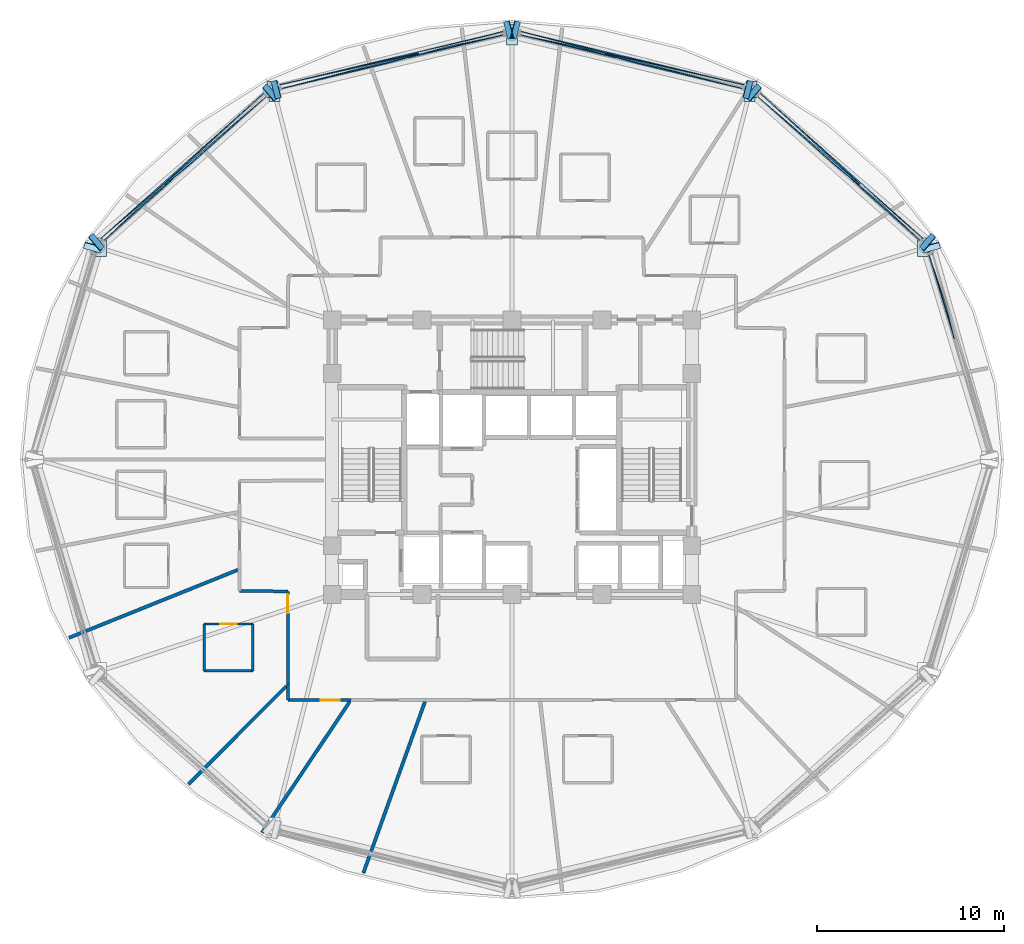
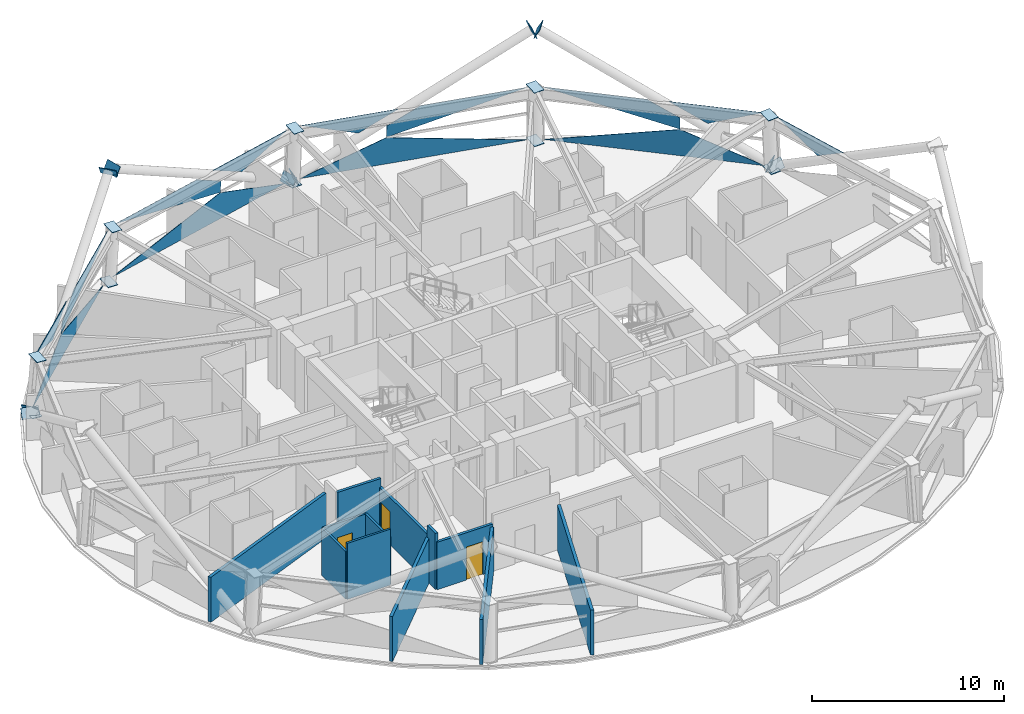
# One storey, part 5 of 14: 33 plates, 12 walls, 3 doors, 3 openings, 5 elements without a shape of their own.
"""IFC4 building model written with IfcOpenShell, lengths in metres."""

from ifc_helpers import new_model, si_unit, direction, frame, frame_2d, origin, place, context, subcontext, project, spatial, polyline, rectangle, outline, extrude, material, layer, layer_set, type_object, element, fill, aggregate, save


model = new_model("IFC4")

# Units and contexts
model_context = context("Model", 3, precision=1e-05, world=origin(), true_north=direction((0.0, 1.0)))
body_context = subcontext(model_context, "Body", "Model", "MODEL_VIEW")
ifc_project = project(units=[si_unit("LENGTHUNIT", "METRE"), si_unit("AREAUNIT", "SQUARE_METRE"), si_unit("VOLUMEUNIT", "CUBIC_METRE"), si_unit("PLANEANGLEUNIT", "RADIAN"), si_unit("MASSUNIT", "GRAM", prefix="KILO")], contexts=[model_context])

# Site, building, storey
site_placement = place(None, origin())
site = spatial("IfcSite", under=ifc_project, at=site_placement, CompositionType="ELEMENT")
building_placement = place(site_placement, origin())
building = spatial("IfcBuilding", under=site, at=building_placement, Name="Vantalir Tower", CompositionType="ELEMENT")
storey_placement = place(building_placement, frame((0.0, 0.0, 112.199951171875)))
storey = spatial("IfcBuildingStorey", under=building, at=storey_placement, Name="L27", CompositionType="ELEMENT", Elevation=112.199951171875)

# Curtain wall, plate
ifc_material_1 = material(Name="Champagne-silver PVDF aluminium and double-silver Low-E glass", Category="aluminium")
ifc_layer_1 = layer(ifc_material_1, 0.199951171875)
ifc_layer_set_1 = layer_set([ifc_layer_1], Name="Champagne-silver PVDF aluminium and double-silver Low-E glass")
curtain_wall_type = type_object("IfcCurtainWallType", Name="CW-DIAMOND-Z2", PredefinedType="USERDEFINED", material=ifc_layer_set_1)
curtain_wall_1_placement = place(storey_placement, origin())
curtain_wall_1 = element("IfcCurtainWall", 1, at=curtain_wall_1_placement, inside=storey, type_object=curtain_wall_type, Name="L27 Quilted Pyramid-Diamond Curtain Wall S01", ObjectType="UNITISED CURTAIN WALL", PredefinedType="USERDEFINED")
ifc_material_2 = material(Name="Double-silver Low-E laminated glass IGU", Category="glass")
ifc_layer_2 = layer(ifc_material_2, 0.028076171875)
ifc_layer_set_2 = layer_set([ifc_layer_2], Name="Double-silver Low-E laminated glass IGU")
plate_type_1 = type_object("IfcPlateType", Name="CWP-IGU-28", PredefinedType="CURTAIN_PANEL", material=ifc_layer_set_2)
plate_1_placement = place(storey_placement, frame((55.124267578125, 31.45166015625, 3.526123046875), z_axis=(0.954485241207, 0.286888552598, 0.081565205236), x_axis=(-0.287843586316, 0.957677433752, -5.1957326e-05)))
plate_1 = element("IfcPlate", 2, at=plate_1_placement, type_object=plate_type_1, Name="CW-L27-S01 Pyramid Diamond Facet 2U Infill Light", PredefinedType="CURTAIN_PANEL", context=body_context, shape_type="SweptSolid", body=[
    extrude(outline(polyline([(0.0, 0.0), (4.698868158949879, -1.5449880957918438e-17), (1.9209955100821836, -1.1526666495825089), (0.0, 0.0)])), origin(), (0.0, 0.0, -1.0), 0.028076171875),
])
aggregate(curtain_wall_1, [plate_1])

# Curtain wall, plates
curtain_wall_2_placement = place(storey_placement, origin())
curtain_wall_2 = element("IfcCurtainWall", 3, at=curtain_wall_2_placement, inside=storey, type_object=curtain_wall_type, Name="L27 Quilted Pyramid-Diamond Curtain Wall S02", ObjectType="UNITISED CURTAIN WALL", PredefinedType="USERDEFINED")
plate_2_placement = place(storey_placement, frame((53.484375, 36.791748046875, 0.046630859375), z_axis=(0.664559537253, 0.74548229328, 0.051154392301), x_axis=(-0.746458880682, 0.66543154345, -2.0813598e-05)))
plate_2 = element("IfcPlate", 4, at=plate_2_placement, type_object=plate_type_1, Name="CW-L27-S02 Pyramid Diamond Facet 1L", PredefinedType="CURTAIN_PANEL", context=body_context, shape_type="SweptSolid", body=[
    extrude(outline(polyline([(0.0, 0.0), (11.729861619438788, -6.743737512859838e-17), (4.47876309128001, 1.7291637556908903), (0.0, 0.0)])), origin(), (0.0, 0.0, -1.0), 0.028076171875),
])
plate_3_placement = place(storey_placement, frame((48.70654296875, 40.74853515625, 3.5234375), z_axis=(0.66332795078, 0.744234257289, 0.078175443656), x_axis=(-0.746521268511, 0.665361551026, 4.5583346e-05)))
plate_3 = element("IfcPlate", 5, at=plate_3_placement, type_object=plate_type_1, Name="CW-L27-S02 Pyramid Diamond Facet 2U", PredefinedType="CURTAIN_PANEL", context=body_context, shape_type="SweptSolid", body=[
    extrude(outline(polyline([(0.0, 0.0), (5.494489195041637, 2.2822455730819868e-17), (-1.7206195760153145, -1.7320288825229808), (-1.720643963681819, -0.9765366403300039), (0.0, 0.0)])), origin(), (0.0, 0.0, -1.0), 0.028076171875),
])
plate_4_placement = place(storey_placement, frame((53.291748046875, 36.70458984375, 3.52587890625), z_axis=(0.663302755406, 0.744259361132, 0.078150227372), x_axis=(-0.746545157546, 0.665334746817, 4.9218431e-05)))
plate_4 = element("IfcPlate", 6, at=plate_4_placement, type_object=plate_type_1, Name="CW-L27-S02 Pyramid Diamond Facet 2U Infill Light", PredefinedType="CURTAIN_PANEL", context=body_context, shape_type="SweptSolid", body=[
    extrude(outline(polyline([(0.0, 0.0), (4.96034963533926, -5.1662233518934286e-17), (2.927112132679448, -1.1543091809518697), (0.0, 0.0)])), origin(), (0.0, 0.0, -1.0), 0.028076171875),
])
aggregate(curtain_wall_2, [plate_2, plate_3, plate_4])

curtain_wall_3_placement = place(storey_placement, origin())
curtain_wall_3 = element("IfcCurtainWall", 7, at=curtain_wall_3_placement, inside=storey, type_object=curtain_wall_type, Name="L27 Quilted Pyramid-Diamond Curtain Wall S03", ObjectType="UNITISED CURTAIN WALL", PredefinedType="USERDEFINED")
plate_5_placement = place(storey_placement, frame((43.946533203125, 45.005615234375, 0.04638671875), z_axis=(0.23200718016, 0.971513603298, 0.048311354362), x_axis=(-0.972649563879, 0.23227747522, 1.9781764e-05)))
plate_5 = element("IfcPlate", 8, at=plate_5_placement, type_object=plate_type_1, Name="CW-L27-S03 Pyramid Diamond Facet 1L", PredefinedType="CURTAIN_PANEL", context=body_context, shape_type="SweptSolid", body=[
    extrude(outline(polyline([(0.0, 0.0), (12.341701303755851, -2.973424458041496e-17), (7.644293803098523, 1.7291628051428056), (0.0, 0.0)])), origin(), (0.0, 0.0, -1.0), 0.028076171875),
])
plate_6_placement = place(storey_placement, frame((43.822509765625, 44.812744140625, 3.523681640625), z_axis=(0.231669155599, 0.969844123046, 0.075708515614), x_axis=(-0.972635603784, 0.232335925442, 4.90982e-07)))
plate_6 = element("IfcPlate", 9, at=plate_6_placement, type_object=plate_type_1, Name="CW-L27-S03 Pyramid Diamond Facet 2U", PredefinedType="CURTAIN_PANEL", context=body_context, shape_type="SweptSolid", body=[
    extrude(outline(polyline([(0.0, 0.0), (5.771197925960725, -1.3877787807814457e-17), (7.56851677454341, -0.9761940728206655), (7.568626333196413, -1.7322674259970217), (0.0, 0.0)])), origin(), (0.0, 0.0, -1.0), 0.028076171875),
])
plate_7_placement = place(storey_placement, frame((37.05517578125, 46.4619140625, 3.526123046875), z_axis=(0.231660806361, 0.969836826679, 0.075827438393), x_axis=(-0.972636269457, 0.232333134041, -4.651314e-05)))
plate_7 = element("IfcPlate", 10, at=plate_7_placement, type_object=plate_type_1, Name="CW-L27-S03 Pyramid Diamond Facet 2U Infill Light", PredefinedType="CURTAIN_PANEL", context=body_context, shape_type="SweptSolid", body=[
    extrude(outline(polyline([(0.0, 0.0), (5.248852803140406, 2.7484525072507537e-17), (2.1368295359106915, -1.1604682129141748), (0.0, 0.0)])), origin(), (0.0, 0.0, -1.0), 0.028076171875),
])
aggregate(curtain_wall_3, [plate_5, plate_6, plate_7])

curtain_wall_4_placement = place(storey_placement, origin())
curtain_wall_4 = element("IfcCurtainWall", 11, at=curtain_wall_4_placement, inside=storey, type_object=curtain_wall_type, Name="L27 Quilted Pyramid-Diamond Curtain Wall S04", ObjectType="UNITISED CURTAIN WALL", PredefinedType="USERDEFINED")
plate_8_placement = place(storey_placement, frame((31.0576171875, 47.872314453125, 0.046630859375), z_axis=(-0.23200718016, 0.971513603298, 0.048311354362), x_axis=(-0.972649563879, -0.23227747522, -1.9781764e-05)))
plate_8 = element("IfcPlate", 12, at=plate_8_placement, type_object=plate_type_1, Name="CW-L27-S04 Pyramid Diamond Facet 1L", PredefinedType="CURTAIN_PANEL", context=body_context, shape_type="SweptSolid", body=[
    extrude(outline(polyline([(0.0, 0.0), (12.341701303755851, 2.973424458041496e-17), (4.697407500657327, 1.7291628051428056), (0.0, 0.0)])), origin(), (0.0, 0.0, -1.0), 0.028076171875),
])
plate_9_placement = place(storey_placement, frame((24.790771484375, 46.153564453125, 3.523681640625), z_axis=(-0.231669155599, 0.969844123046, 0.075708515614), x_axis=(-0.972635603784, -0.232335925442, -4.90982e-07)))
plate_9 = element("IfcPlate", 13, at=plate_9_placement, type_object=plate_type_1, Name="CW-L27-S04 Pyramid Diamond Facet 2U", PredefinedType="CURTAIN_PANEL", context=body_context, shape_type="SweptSolid", body=[
    extrude(outline(polyline([(0.0, 0.0), (5.771197925960725, 1.3877787807814457e-17), (-1.7974284072356879, -1.7322674259970217), (-1.7973188485826848, -0.9761940728206655), (0.0, 0.0)])), origin(), (0.0, 0.0, -1.0), 0.028076171875),
])
plate_10_placement = place(storey_placement, frame((31.050048828125, 47.681396484375, 3.52587890625), z_axis=(-0.231660806361, 0.969836826679, 0.075827438393), x_axis=(-0.972636269457, -0.232333134041, 4.651314e-05)))
plate_10 = element("IfcPlate", 14, at=plate_10_placement, type_object=plate_type_1, Name="CW-L27-S04 Pyramid Diamond Facet 2U Infill Light", PredefinedType="CURTAIN_PANEL", context=body_context, shape_type="SweptSolid", body=[
    extrude(outline(polyline([(0.0, 0.0), (5.248852803140406, -2.7484525072507537e-17), (3.1120232672297137, -1.1604682129141748), (0.0, 0.0)])), origin(), (0.0, 0.0, -1.0), 0.028076171875),
])
aggregate(curtain_wall_4, [plate_8, plate_9, plate_10])

curtain_wall_5_placement = place(storey_placement, origin())
curtain_wall_5 = element("IfcCurtainWall", 15, at=curtain_wall_5_placement, inside=storey, type_object=curtain_wall_type, Name="L27 Quilted Pyramid-Diamond Curtain Wall S05", ObjectType="UNITISED CURTAIN WALL", PredefinedType="USERDEFINED")
plate_11_placement = place(storey_placement, frame((18.271484375, 44.59716796875, 0.04638671875), z_axis=(-0.664559537253, 0.74548229328, 0.051154392301), x_axis=(-0.746458880682, -0.66543154345, 2.0813598e-05)))
plate_11 = element("IfcPlate", 16, at=plate_11_placement, type_object=plate_type_1, Name="CW-L27-S05 Pyramid Diamond Facet 1L", PredefinedType="CURTAIN_PANEL", context=body_context, shape_type="SweptSolid", body=[
    extrude(outline(polyline([(0.0, 0.0), (11.729861619438788, 6.743737512859838e-17), (7.251098528158779, 1.7291637556908905), (0.0, 0.0)])), origin(), (0.0, 0.0, -1.0), 0.028076171875),
])
plate_12_placement = place(storey_placement, frame((18.395263671875, 44.404296875, 3.523681640625), z_axis=(-0.66332795078, 0.744234257289, 0.078175443656), x_axis=(-0.746521268511, -0.665361551026, -4.5583346e-05)))
plate_12 = element("IfcPlate", 17, at=plate_12_placement, type_object=plate_type_1, Name="CW-L27-S05 Pyramid Diamond Facet 2U", PredefinedType="CURTAIN_PANEL", context=body_context, shape_type="SweptSolid", body=[
    extrude(outline(polyline([(0.0, 0.0), (5.494489195041637, -2.2822455730819868e-17), (7.215133158723456, -0.9765366403300038), (7.215108771056951, -1.7320288825229808), (0.0, 0.0)])), origin(), (0.0, 0.0, -1.0), 0.028076171875),
])
plate_13_placement = place(storey_placement, frame((13.411376953125, 40.0048828125, 3.526123046875), z_axis=(-0.663302755406, 0.744259361132, 0.078150227372), x_axis=(-0.746545157546, -0.665334746817, -4.9218431e-05)))
plate_13 = element("IfcPlate", 18, at=plate_13_placement, type_object=plate_type_1, Name="CW-L27-S05 Pyramid Diamond Facet 2U Infill Light", PredefinedType="CURTAIN_PANEL", context=body_context, shape_type="SweptSolid", body=[
    extrude(outline(polyline([(0.0, 0.0), (4.96034963533926, 5.1662233518934286e-17), (2.033237502659812, -1.1543091809518697), (0.0, 0.0)])), origin(), (0.0, 0.0, -1.0), 0.028076171875),
])
aggregate(curtain_wall_5, [plate_11, plate_12, plate_13])

# Plates
ifc_material_3 = material(Name="Steel S460", Category="steel")
ifc_layer_3 = layer(ifc_material_3, 0.0400390625)
ifc_layer_set_3 = layer_set([ifc_layer_3], Name="Steel S460")
plate_type_2 = type_object("IfcPlateType", Name="PLT-KN-Z1", PredefinedType="USERDEFINED", material=ifc_layer_set_3)
plate_14_placement = place(storey_placement, frame((53.8671875, 37.078125, -0.076904296875), z_axis=(-0.659323366185, 0.566810275658, 0.493982601121), x_axis=(-0.651935390313, -0.758274515462, -7.783461e-05)))
element("IfcPlate", 19, at=plate_14_placement, inside=storey, type_object=plate_type_2, Name="Node Cap Plate MEM-DG-L27-R04L Start", ObjectType="FLANGE_PLATE", PredefinedType="USERDEFINED", context=body_context, shape_type="SweptSolid", body=[
    extrude(outline(polyline([(0.0, 0.0), (0.9499194106047693, 0.0), (0.9497861594451141, 0.6200735158488239), (-0.00015921286013078996, 0.6199034410543653), (0.0, 0.0)])), origin(), (0.0, 0.0, -1.0), 0.0400390625),
])
plate_15_placement = place(storey_placement, frame((44.58251953125, 45.060546875, 6.877685546875), z_axis=(-0.65932243996, 0.566825154245, 0.493966764753), x_axis=(-0.651912226337, -0.75829443434, 0.0)))
element("IfcPlate", 20, at=plate_15_placement, inside=storey, type_object=plate_type_2, Name="Node Cap Plate MEM-DG-L27-R04L End", ObjectType="FLANGE_PLATE", PredefinedType="USERDEFINED", context=body_context, shape_type="SweptSolid", body=[
    extrude(outline(polyline([(0.0, 0.0), (0.9501045395402512, 5.551115123125783e-17), (0.9501817661133964, 0.6199820736218935), (7.722657314530777e-05, 0.6199820736218935), (0.0, 0.0)])), origin(), (0.0, 0.0, -1.0), 0.0400390625),
])
plate_16_placement = place(storey_placement, frame((53.4619140625, 36.019287109375, -0.068359375), z_axis=(0.230464762677, -0.825795344658, 0.514731038413), x_axis=(0.963193206575, 0.268810057118, 0.0)))
element("IfcPlate", 21, at=plate_16_placement, inside=storey, type_object=plate_type_2, Name="Node Cap Plate MEM-DG-L27-R04R Start", ObjectType="FLANGE_PLATE", PredefinedType="USERDEFINED", context=body_context, shape_type="SweptSolid", body=[
    extrude(outline(polyline([(0.0, 0.0), (0.9500057270479744, 0.0), (0.95009143173632, 0.6199254438717674), (8.57046883456301e-05, 0.6199254438717673), (0.0, 0.0)])), origin(), (0.0, 0.0, -1.0), 0.0400390625),
])
for number, where, z_axis, x_axis, name in (
    (22, (31.044677734375, 48.3515625, -0.08349609375), (-0.851198547078, -0.218163384579, 0.477352878991), (0.248276411705, -0.968689229521, 0.0), "Node Cap Plate MEM-DG-L27-R10L Start"),
    (23, (18.6337890625, 45.17138671875, 6.8779296875), (-0.851198547078, -0.218163384579, 0.477352878991), (0.248276411705, -0.968689229521, 0.0), "Node Cap Plate MEM-DG-L27-R10L End"),
):
    element("IfcPlate", number, at=place(storey_placement, frame(where, z_axis=z_axis, x_axis=x_axis)), inside=storey, type_object=plate_type_2, Name=name, ObjectType="FLANGE_PLATE", PredefinedType="USERDEFINED", context=body_context, shape_type="SweptSolid", body=[
        extrude(outline(polyline([(0.0, 0.0), (0.9499083788509355, 0.0), (0.9498842209545009, 0.6198594401507656), (-2.4157896434472415e-05, 0.6198594401507656), (0.0, 0.0)])), origin(), (0.0, 0.0, -1.0), 0.0400390625),
    ])
for number, where, z_axis, x_axis, name in (
    (24, (31.719482421875, 47.431396484375, -0.08349609375), (0.851198547078, -0.218163384579, 0.477352878991), (0.248276411705, 0.968689229521, 0.0), "Node Cap Plate MEM-DG-L27-R10R Start"),
    (25, (44.13037109375, 44.251220703125, 6.8779296875), (0.851198547078, -0.218163384579, 0.477352878991), (0.248276411705, 0.968689229521, 0.0), "Node Cap Plate MEM-DG-L27-R10R End"),
):
    element("IfcPlate", number, at=place(storey_placement, frame(where, z_axis=z_axis, x_axis=x_axis)), inside=storey, type_object=plate_type_2, Name=name, ObjectType="FLANGE_PLATE", PredefinedType="USERDEFINED", context=body_context, shape_type="SweptSolid", body=[
        extrude(outline(polyline([(0.0, 0.0), (0.9499083788509355, 0.0), (0.9499325367473699, 0.6198594401507656), (2.4157896434472415e-05, 0.6198594401507656), (0.0, 0.0)])), origin(), (0.0, 0.0, -1.0), 0.0400390625),
    ])
plate_17_placement = place(storey_placement, frame((8.623046875, 36.274658203125, -0.068359375), z_axis=(-0.230464762677, -0.825795344658, 0.514731038413), x_axis=(0.963193206575, -0.268810057118, 0.0)))
element("IfcPlate", 26, at=plate_17_placement, inside=storey, type_object=plate_type_2, Name="Node Cap Plate MEM-DG-L27-R16L Start", ObjectType="FLANGE_PLATE", PredefinedType="USERDEFINED", context=body_context, shape_type="SweptSolid", body=[
    extrude(outline(polyline([(0.0, 0.0), (0.9500057270479744, 0.0), (0.9499200223596288, 0.6199254438717673), (-8.57046883456301e-05, 0.6199254438717673), (0.0, 0.0)])), origin(), (0.0, 0.0, -1.0), 0.0400390625),
])
plate_18_placement = place(storey_placement, frame((9.752197265625, 36.35791015625, -0.076904296875), z_axis=(0.659323366185, 0.566810275658, 0.493982601121), x_axis=(-0.651935390313, 0.758274515462, 7.783461e-05)))
element("IfcPlate", 27, at=plate_18_placement, inside=storey, type_object=plate_type_2, Name="Node Cap Plate MEM-DG-L27-R16R Start", ObjectType="FLANGE_PLATE", PredefinedType="USERDEFINED", context=body_context, shape_type="SweptSolid", body=[
    extrude(outline(polyline([(0.0, 0.0), (0.9499194106047693, 0.0), (0.9500786234649, 0.6199034410543653), (0.00013325115965506597, 0.6200735158488239), (0.0, 0.0)])), origin(), (0.0, 0.0, -1.0), 0.0400390625),
])
plate_19_placement = place(storey_placement, frame((19.036865234375, 44.340087890625, 6.877685546875), z_axis=(0.65932243996, 0.566825154245, 0.493966764753), x_axis=(-0.651912226337, 0.75829443434, 0.0)))
element("IfcPlate", 28, at=plate_19_placement, inside=storey, type_object=plate_type_2, Name="Node Cap Plate MEM-DG-L27-R16R End", ObjectType="FLANGE_PLATE", PredefinedType="USERDEFINED", context=body_context, shape_type="SweptSolid", body=[
    extrude(outline(polyline([(0.0, 0.0), (0.9501045395402512, -5.551115123125783e-17), (0.9500273129671057, 0.6199820736218934), (-7.722657314530777e-05, 0.6199820736218935), (0.0, 0.0)])), origin(), (0.0, 0.0, -1.0), 0.0400390625),
])
ifc_layer_4 = layer(ifc_material_3, 0.035888671875)
ifc_layer_set_4 = layer_set([ifc_layer_4], Name="Steel S460")
plate_type_3 = type_object("IfcPlateType", Name="PLT-KN-Z2", PredefinedType="USERDEFINED", material=ifc_layer_set_4)
plate_20_placement = place(storey_placement, frame((53.15380859375, 36.722412109375, 3.59423828125), z_axis=(-0.060200582555, -0.03101384697, 0.997704380644), x_axis=(0.0, -0.999517204822, -0.031070198984)))
element("IfcPlate", 29, at=plate_20_placement, inside=storey, type_object=plate_type_3, Name="L27 Ring Column Top Cap RC02", ObjectType="FLANGE_PLATE", PredefinedType="USERDEFINED", context=body_context, shape_type="SweptSolid", body=[
    extrude(outline(polyline([(0.0, 0.0), (0.880063562319266, 0.0), (0.8799549271543606, 0.5801537873216641), (-0.00010863516490533119, 0.5801537873216641), (0.0, 0.0)])), origin(), (0.0, 0.0, -1.0), 0.035888671875),
])
plate_21_placement = place(storey_placement, frame((53.367431640625, 36.832763671875, 0.049072265625), z_axis=(-0.060232397464, -0.031018087663, 0.99770232862), x_axis=(2.59144e-07, -0.999517071379, -0.031074491501)))
element("IfcPlate", 30, at=plate_21_placement, inside=storey, type_object=plate_type_3, Name="L27 Ring Column Base Cap RC02", ObjectType="FLANGE_PLATE", PredefinedType="USERDEFINED", context=body_context, shape_type="SweptSolid", body=[
    extrude(outline(polyline([(0.0, 0.0), (0.8800635623111206, 0.0), (0.8799549271625048, 0.5799100896683622), (0.0001353875738888421, 0.5799105465610805), (0.0, 0.0)])), origin(), (0.0, 0.0, -1.0), 0.035888671875),
])
plate_22_placement = place(storey_placement, frame((43.879150390625, 44.9814453125, 3.611572265625), z_axis=(-0.034793349991, -0.053654888269, 0.997953193172), x_axis=(-4.816866e-06, -0.99855778284, -0.053687561931)))
element("IfcPlate", 31, at=plate_22_placement, inside=storey, type_object=plate_type_3, Name="L27 Ring Column Top Cap RC03", ObjectType="FLANGE_PLATE", PredefinedType="USERDEFINED", context=body_context, shape_type="SweptSolid", body=[
    extrude(outline(polyline([(0.0, 0.0), (0.8799377068985434, -2.168404344971009e-19), (0.8800659505593154, 0.5799452234525826), (0.00014135097569646128, 0.5799367412963384), (0.0, 0.0)])), origin(), (0.0, 0.0, -1.0), 0.035888671875),
])
plate_23_placement = place(storey_placement, frame((44.00244140625, 45.172119140625, 0.066650390625), z_axis=(-0.034572135858, -0.053786092726, 0.997953818396), x_axis=(2.5789e-07, -0.998550747488, -0.053818256106)))
element("IfcPlate", 32, at=plate_23_placement, inside=storey, type_object=plate_type_3, Name="L27 Ring Column Base Cap RC03", ObjectType="FLANGE_PLATE", PredefinedType="USERDEFINED", context=body_context, shape_type="SweptSolid", body=[
    extrude(outline(polyline([(0.0, 0.0), (0.8801815021100597, 0.0), (0.8800793825347248, 0.5799362997885369), (0.00014166722825118406, 0.579936753976696), (0.0, 0.0)])), origin(), (0.0, 0.0, -1.0), 0.035888671875),
])
plate_24_placement = place(storey_placement, frame((31.2099609375, 48.00341796875, 3.625244140625), z_axis=(0.0, -0.061860176778, 0.998084825317), x_axis=(0.0, -0.998084825317, -0.061860176778)))
element("IfcPlate", 33, at=plate_24_placement, inside=storey, type_object=plate_type_3, Name="L27 Ring Column Top Cap RC04", ObjectType="FLANGE_PLATE", PredefinedType="USERDEFINED", context=body_context, shape_type="SweptSolid", body=[
    extrude(outline(polyline([(0.0, 0.0), (0.8801035207308919, 0.0), (0.8801035207308919, 0.5800781249999999), (0.0, 0.5800781249999999), (0.0, 0.0)])), origin(), (0.0, 0.0, -1.0), 0.035888671875),
])
plate_25_placement = place(storey_placement, frame((31.2099609375, 48.223876953125, 0.080322265625), z_axis=(0.0, -0.062136508029, 0.998067660216), x_axis=(0.0, -0.998067660216, -0.062136508029)))
element("IfcPlate", 34, at=plate_25_placement, inside=storey, type_object=plate_type_3, Name="L27 Ring Column Base Cap RC04", ObjectType="FLANGE_PLATE", PredefinedType="USERDEFINED", context=body_context, shape_type="SweptSolid", body=[
    extrude(outline(polyline([(0.0, 0.0), (0.8801186570452453, 0.0), (0.8801186570452453, 0.580078125), (0.0, 0.580078125), (0.0, 0.0)])), origin(), (0.0, 0.0, -1.0), 0.035888671875),
])
plate_26_placement = place(storey_placement, frame((18.541259765625, 44.980224609375, 3.631591796875), z_axis=(0.034793349991, -0.053654888269, 0.997953193172), x_axis=(-4.816938e-06, -0.998557800847, -0.05368722702)))
element("IfcPlate", 35, at=plate_26_placement, inside=storey, type_object=plate_type_3, Name="L27 Ring Column Top Cap RC05", ObjectType="FLANGE_PLATE", PredefinedType="USERDEFINED", context=body_context, shape_type="SweptSolid", body=[
    extrude(outline(polyline([(0.0, 0.0), (0.8799245996245013, 0.0), (0.879790765500643, 0.5799452221894148), (-0.0001469413570174339, 0.5799367399068213), (0.0, 0.0)])), origin(), (0.0, 0.0, -1.0), 0.035888671875),
])
plate_27_placement = place(storey_placement, frame((18.41796875, 45.1708984375, 0.086669921875), z_axis=(0.034572135858, -0.053786092726, 0.997953818396), x_axis=(2.57961e-07, -0.998550746528, -0.053818273925)))
element("IfcPlate", 36, at=plate_27_placement, inside=storey, type_object=plate_type_3, Name="L27 Ring Column Base Cap RC05", ObjectType="FLANGE_PLATE", PredefinedType="USERDEFINED", context=body_context, shape_type="SweptSolid", body=[
    extrude(outline(polyline([(0.0, 0.0), (0.8799377153065908, 2.168404344971009e-19), (0.8800401342215219, 0.5799362997357497), (-0.0001413678884205113, 0.5799367540497415), (0.0, 0.0)])), origin(), (0.0, 0.0, -1.0), 0.035888671875),
])
plate_28_placement = place(storey_placement, frame((9.26708984375, 36.721435546875, 3.629150390625), z_axis=(0.060200582555, -0.03101384697, 0.997704380644), x_axis=(0.0, -0.999517204822, -0.031070198984)))
element("IfcPlate", 37, at=plate_28_placement, inside=storey, type_object=plate_type_3, Name="L27 Ring Column Top Cap RC06", ObjectType="FLANGE_PLATE", PredefinedType="USERDEFINED", context=body_context, shape_type="SweptSolid", body=[
    extrude(outline(polyline([(0.0, 0.0), (0.880063562319266, 0.0), (0.8801721974841712, 0.5801537873216641), (0.00010863516490533119, 0.5801537873216641), (0.0, 0.0)])), origin(), (0.0, 0.0, -1.0), 0.035888671875),
])
plate_29_placement = place(storey_placement, frame((9.0537109375, 36.83154296875, 0.083984375), z_axis=(0.060232397464, -0.031018087663, 0.99770232862), x_axis=(2.59216e-07, -0.999517070407, -0.031074522765)))
element("IfcPlate", 38, at=plate_29_placement, inside=storey, type_object=plate_type_3, Name="L27 Ring Column Base Cap RC06", ObjectType="FLANGE_PLATE", PredefinedType="USERDEFINED", context=body_context, shape_type="SweptSolid", body=[
    extrude(outline(polyline([(0.0, 0.0), (0.8798195395887346, 0.0), (0.8799284758862627, 0.5799100896118695), (-0.00013508642473934675, 0.5799105466313096), (0.0, 0.0)])), origin(), (0.0, 0.0, -1.0), 0.035888671875),
])

# Wall
ifc_material_4 = material(Name="Moisture-resistant en-suite partition", Category="gypsum")
ifc_layer_5 = layer(ifc_material_4, 0.125)
ifc_layer_set_5 = layer_set([ifc_layer_5], Name="Moisture-resistant en-suite partition")
wall_type_1 = type_object("IfcWallType", Name="WL-BATH-125", PredefinedType="PARTITIONING", material=ifc_layer_set_5)
wall_1_placement = place(storey_placement, frame((15.070068359375, 13.721923828125, 0.0), z_axis=(0.0, 0.0, 1.0), x_axis=(1.0, 0.0, 0.0)))
element("IfcWall", 39, at=wall_1_placement, inside=storey, type_object=wall_type_1, Name="L27 En-suite 13 South Wall", PredefinedType="PARTITIONING", context=body_context, shape_type="SweptSolid", body=[
    extrude(rectangle(XDim=2.599853515625, YDim=0.125, at=frame_2d((1.2998046875, 0.0))), origin(), (0.0, 0.0, 1.0), 3.550048828125),
])

# Wall, opening, door
wall_2_placement = place(storey_placement, frame((15.070068359375, 16.221923828125, 0.0), z_axis=(0.0, 0.0, 1.0), x_axis=(1.0, 0.0, 0.0)))
wall_2 = element("IfcWall", 40, at=wall_2_placement, inside=storey, type_object=wall_type_1, Name="L27 En-suite 13 North Wall", PredefinedType="PARTITIONING", context=body_context, shape_type="SweptSolid", body=[
    extrude(rectangle(XDim=2.599853515625, YDim=0.125, at=frame_2d((1.2998046875, 0.0))), origin(), (0.0, 0.0, 1.0), 3.006103515625),
])
opening_1_placement = place(wall_2_placement, frame((0.85009765625, 0.0, 0.0)))
opening_1 = element("IfcOpeningElement", 41, at=opening_1_placement, cuts=wall_2, Name="Opening D-WC", PredefinedType="OPENING", context=body_context, shape_type="SweptSolid", body=[
    extrude(rectangle(XDim=0.89990234375, YDim=2.10009765625, at=frame_2d((0.449951171875, 1.050048828125))), frame((0.0, 0.072509765625, 0.0), z_axis=(0.0, -1.0, 0.0), x_axis=(1.0, 0.0, 0.0)), (0.0, 0.0, 1.0), 0.14501953125),
])
ifc_material_5 = material(Name="Moisture-resistant hardwood door", Category="wood")
door_type_1 = type_object("IfcDoorType", Name="DR-ENSUITE-900", OperationType="NOTDEFINED", PredefinedType="DOOR", material=ifc_material_5)
door_1_placement = place(opening_1_placement, frame((0.89990234375, 0.0, 0.0), z_axis=(0.0, 0.0, 1.0), x_axis=(-1.0, 0.0, 0.0)))
door_1 = element("IfcDoor", 42, at=door_1_placement, inside=storey, type_object=door_type_1, Name="L27 En-suite 13 Door", OperationType="SINGLE_SWING_LEFT", OverallHeight=2.10009765625, OverallWidth=0.89990234375, PredefinedType="DOOR", context=body_context, shape_type="SweptSolid", body=[
    extrude(rectangle(XDim=0.89990234375, YDim=2.10009765625, at=frame_2d((0.449951171875, 1.050048828125))), frame((0.0, 0.02490234375, 0.0), z_axis=(0.0, -1.0, 0.0), x_axis=(1.0, 0.0, 0.0)), (0.0, 0.0, 1.0), 0.050048828125),
])
fill(opening_1, door_1)

# Walls
for number, where, z_axis, x_axis, name in (
    (43, (15.070068359375, 13.721923828125, 0.0), (0.0, 0.0, 1.0), (0.0, 1.0, 0.0), "L27 En-suite 13 West Wall"),
    (44, (17.669921875, 13.721923828125, 0.0), (0.0, 0.0, 1.0), (0.0, 1.0, 0.0), "L27 En-suite 13 East Wall"),
):
    element("IfcWall", number, at=place(storey_placement, frame(where, z_axis=z_axis, x_axis=x_axis)), inside=storey, type_object=wall_type_1, Name=name, PredefinedType="PARTITIONING", context=body_context, shape_type="SweptSolid", body=[
        extrude(rectangle(XDim=2.5, YDim=0.125, at=frame_2d((1.25, 0.0))), origin(), (0.0, 0.0, 1.0), 3.006103515625),
    ])

# Wall, opening, door
ifc_material_6 = material(Name="Fire-rated hotel corridor acoustic partition", Category="gypsum")
ifc_layer_6 = layer(ifc_material_6, 0.159912109375)
ifc_layer_set_6 = layer_set([ifc_layer_6], Name="Fire-rated hotel corridor acoustic partition")
wall_type_2 = type_object("IfcWallType", Name="WL-CORR-160", PredefinedType="PARTITIONING", material=ifc_layer_set_6)
wall_3_placement = place(storey_placement, frame((22.89599609375, 12.157958984375, 0.0), z_axis=(0.0, 0.0, 1.0), x_axis=(-0.999999957333, -0.000292120049, 0.0)))
wall_3 = element("IfcWall", 45, at=wall_3_placement, inside=storey, type_object=wall_type_2, Name="L27 Corridor Partition 31", PredefinedType="PARTITIONING", context=body_context, shape_type="SweptSolid", body=[
    extrude(rectangle(XDim=3.343017578125, YDim=0.159912109375, at=frame_2d((1.67138671875, 0.0))), origin(), (0.0, 0.0, 1.0), 3.006103515625),
])
opening_2_placement = place(wall_3_placement, frame((0.593994140625, 0.0, 0.0)))
opening_2 = element("IfcOpeningElement", 46, at=opening_2_placement, cuts=wall_3, Name="Opening D-GUEST", PredefinedType="OPENING", context=body_context, shape_type="SweptSolid", body=[
    extrude(rectangle(XDim=1.0, YDim=2.10009765625, at=frame_2d((0.5, 1.050048828125))), frame((0.0, 0.08984375, 0.0), z_axis=(0.0, -1.0, 0.0), x_axis=(1.0, 0.0, 0.0)), (0.0, 0.0, 1.0), 0.179931640625),
])
ifc_material_7 = material(Name="Solid-core teak veneer acoustic fire door", Category="wood")
door_type_2 = type_object("IfcDoorType", Name="DR-GUEST-ENTRY-1000", OperationType="NOTDEFINED", PredefinedType="DOOR", material=ifc_material_7)
door_2_placement = place(opening_2_placement, origin())
door_2 = element("IfcDoor", 47, at=door_2_placement, inside=storey, type_object=door_type_2, Name="L27 Executive Business Study 14 Door", OperationType="SINGLE_SWING_RIGHT", OverallHeight=2.10009765625, OverallWidth=1.0, PredefinedType="DOOR", context=body_context, shape_type="SweptSolid", body=[
    extrude(rectangle(XDim=1.0, YDim=2.10009765625, at=frame_2d((0.5, 1.050048828125))), frame((0.0, 0.02490234375, 0.0), z_axis=(0.0, -1.0, 0.0), x_axis=(1.0, 0.0, 0.0)), (0.0, 0.0, 1.0), 0.050048828125),
])
fill(opening_2, door_2)

# Wall
wall_4_placement = place(storey_placement, frame((19.552978515625, 12.156982421875, 0.0), z_axis=(0.0, 0.0, 1.0), x_axis=(-0.003459189451, 0.999994016986, 0.0)))
element("IfcWall", 48, at=wall_4_placement, inside=storey, type_object=wall_type_2, Name="L27 Corridor Partition 32", PredefinedType="PARTITIONING", context=body_context, shape_type="SweptSolid", body=[
    extrude(rectangle(XDim=0.846923828125, YDim=0.159912109375, at=frame_2d((0.42333984375, 0.0))), origin(), (0.0, 0.0, 1.0), 3.550048828125),
])

# Wall, opening, door
wall_5_placement = place(storey_placement, frame((19.550048828125, 13.00390625, 0.0), z_axis=(0.0, 0.0, 1.0), x_axis=(-0.003054172947, 0.999995336003, 0.0)))
wall_5 = element("IfcWall", 49, at=wall_5_placement, inside=storey, type_object=wall_type_2, Name="L27 Corridor Partition 33", PredefinedType="PARTITIONING", context=body_context, shape_type="SweptSolid", body=[
    extrude(rectangle(XDim=4.9560546875, YDim=0.159912109375, at=frame_2d((2.47802734375, 0.0))), origin(), (0.0, 0.0, 1.0), 3.006103515625),
])
opening_3_placement = place(wall_5_placement, frame((3.7958984375, 0.0, 0.0)))
opening_3 = element("IfcOpeningElement", 50, at=opening_3_placement, cuts=wall_5, Name="Opening D-GUEST", PredefinedType="OPENING", context=body_context, shape_type="SweptSolid", body=[
    extrude(rectangle(XDim=1.0, YDim=2.10009765625, at=frame_2d((0.5, 1.050048828125))), frame((0.0, 0.08984375, 0.0), z_axis=(0.0, -1.0, 0.0), x_axis=(1.0, 0.0, 0.0)), (0.0, 0.0, 1.0), 0.179931640625),
])
door_3_placement = place(opening_3_placement, origin())
door_3 = element("IfcDoor", 51, at=door_3_placement, inside=storey, type_object=door_type_2, Name="L27 Twin Queen Hotel Room 13 Door", OperationType="SINGLE_SWING_LEFT", OverallHeight=2.10009765625, OverallWidth=1.0, PredefinedType="DOOR", context=body_context, shape_type="SweptSolid", body=[
    extrude(rectangle(XDim=1.0, YDim=2.10009765625, at=frame_2d((0.5, 1.050048828125))), frame((0.0, 0.02490234375, 0.0), z_axis=(0.0, -1.0, 0.0), x_axis=(1.0, 0.0, 0.0)), (0.0, 0.0, 1.0), 0.050048828125),
])
fill(opening_3, door_3)

# Walls
wall_6_placement = place(storey_placement, frame((19.534912109375, 17.9599609375, 0.0), z_axis=(0.0, 0.0, 1.0), x_axis=(-0.999923106799, 0.012400826185, 0.0)))
element("IfcWall", 52, at=wall_6_placement, inside=storey, type_object=wall_type_2, Name="L27 Corridor Partition 34", PredefinedType="PARTITIONING", context=body_context, shape_type="SweptSolid", body=[
    extrude(rectangle(XDim=2.5791015625, YDim=0.159912109375, at=frame_2d((1.28955078125, 0.0))), origin(), (0.0, 0.0, 1.0), 3.550048828125),
])
ifc_material_8 = material(Name="Twin-stud acoustic fire-rated gypsum partition", Category="gypsum")
ifc_layer_7 = layer(ifc_material_8, 0.179931640625)
ifc_layer_set_7 = layer_set([ifc_layer_7], Name="Twin-stud acoustic fire-rated gypsum partition")
wall_type_3 = type_object("IfcWallType", Name="WL-GUEST-180", PredefinedType="PARTITIONING", material=ifc_layer_set_7)
wall_7_placement = place(storey_placement, frame((16.8798828125, 19.115966796875, 0.0), z_axis=(0.0, 0.0, 1.0), x_axis=(-0.927683813389, -0.373366766567, 0.0)))
element("IfcWall", 53, at=wall_7_placement, inside=storey, type_object=wall_type_3, Name="L27 Radial Suite Partition 13", PredefinedType="PARTITIONING", context=body_context, shape_type="SweptSolid", body=[
    extrude(rectangle(XDim=9.73046875, YDim=0.179931640625, at=frame_2d((4.865234375, 0.0))), origin(), (0.0, 0.0, 1.0), 2.85107421875),
])
wall_8_placement = place(storey_placement, frame((19.4599609375, 12.9130859375, 0.0), z_axis=(0.0, 0.0, 1.0), x_axis=(-0.705736662994, -0.708474249713, 0.0)))
element("IfcWall", 54, at=wall_8_placement, inside=storey, type_object=wall_type_3, Name="L27 Radial Suite Partition 14", PredefinedType="PARTITIONING", context=body_context, shape_type="SweptSolid", body=[
    extrude(rectangle(XDim=7.402099609375, YDim=0.179931640625, at=frame_2d((3.701171875, 0.0))), origin(), (0.0, 0.0, 1.0), 2.85107421875),
])
wall_9_placement = place(storey_placement, frame((22.840087890625, 12.074951171875, 0.0), z_axis=(0.0, 0.0, 1.0), x_axis=(-0.556572455709, -0.830799074112, 0.0)))
element("IfcWall", 55, at=wall_9_placement, inside=storey, type_object=wall_type_3, Name="L27 Radial Suite Partition 15", PredefinedType="PARTITIONING", context=body_context, shape_type="SweptSolid", body=[
    extrude(rectangle(XDim=8.41943359375, YDim=0.179931640625, at=frame_2d((4.209716796875, 0.0))), origin(), (0.0, 0.0, 1.0), 2.85107421875),
])
wall_10_placement = place(storey_placement, frame((26.85400390625, 12.074951171875, 0.0), z_axis=(0.0, 0.0, 1.0), x_axis=(-0.338287035349, -0.941042975488, 0.0)))
element("IfcWall", 56, at=wall_10_placement, inside=storey, type_object=wall_type_3, Name="L27 Radial Suite Partition 16", PredefinedType="PARTITIONING", context=body_context, shape_type="SweptSolid", body=[
    extrude(rectangle(XDim=9.717041015625, YDim=0.179931640625, at=frame_2d((4.8583984375, 0.0))), origin(), (0.0, 0.0, 1.0), 2.85107421875),
])

save(model, "model.ifc")
